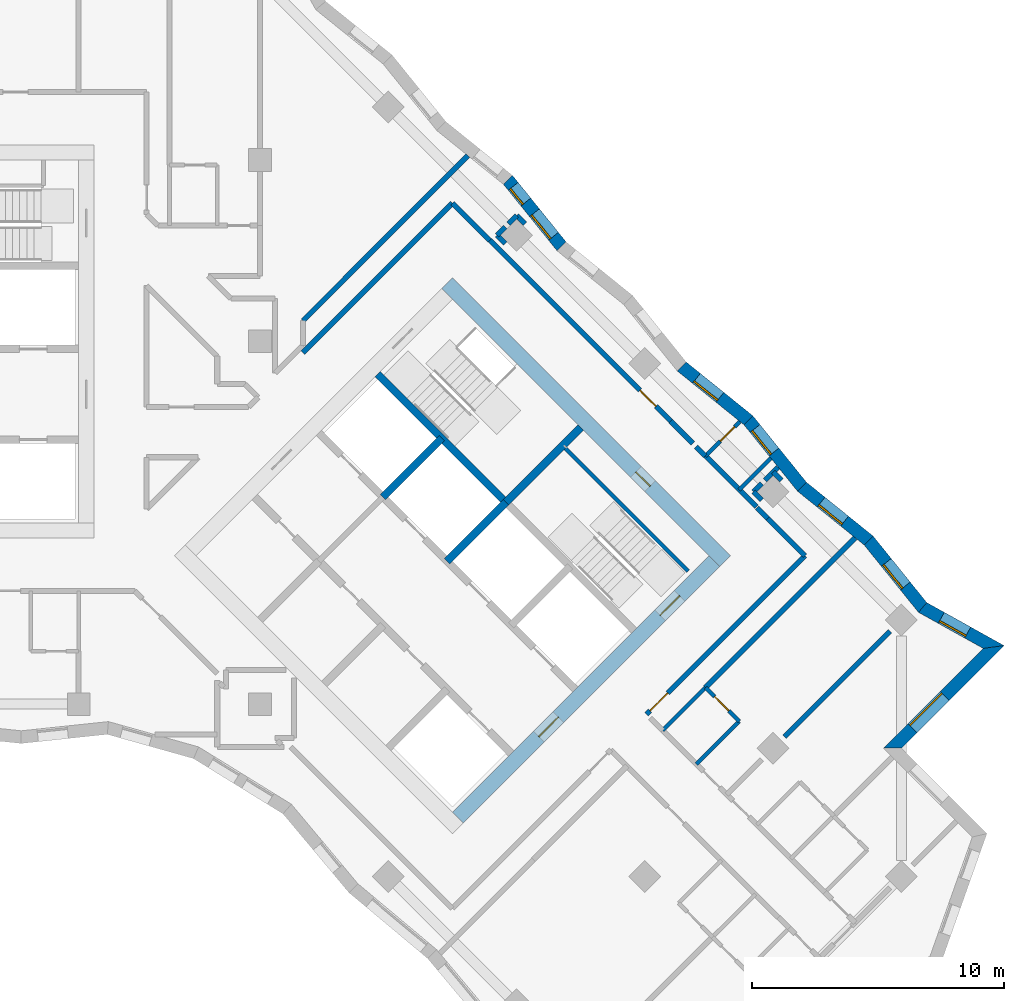
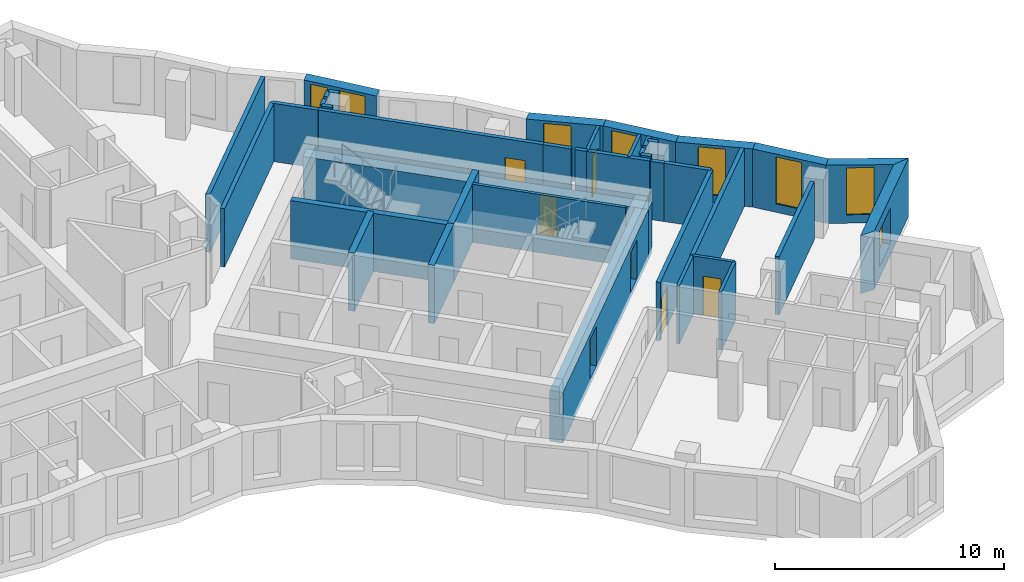
# One storey, part 9 of 12: 39 walls, 8 windows, 7 doors, 15 openings.
"""IFC4 building model written with IfcOpenShell, lengths in metres."""

import ifcopenshell
import ifcopenshell.guid

model = None  # the IFC model being written
_history = None  # IfcOwnerHistory: only IFC2X3 demands one
_inside = {}  # id of a spatial element -> (the spatial element, [elements in it])
_under = {}  # id of a project, library or spatial element -> (it, [spatial elements below it])
_declared = {}  # id of a project -> (the project, [libraries it declares])
_typed = {}  # id of a type object -> (the type object, [elements of that type])
_made_of = {}  # id of a material, layer set ... -> (it, [elements and type objects made of it])


def new_model(schema):
    """Start an empty IFC model of exactly this schema.

    Asked for "IFC4X3", IfcOpenShell would pick the latest addendum, in which some entities
    have other attributes; the version numbers below select the first issue.
    IFC2X3 requires an IfcOwnerHistory on every rooted entity: one is made here for all.
    """
    global model, _history
    if schema == "IFC4X3":
        model = ifcopenshell.file(schema_version=(4, 3, 0, 0))
    else:
        model = ifcopenshell.file(schema=schema)
    _inside.clear()
    _under.clear()
    _declared.clear()
    _typed.clear()
    _made_of.clear()
    _history = None
    if model.schema == "IFC2X3":
        org = make("IfcOrganization", Name="unknown")
        user = make(
            "IfcPersonAndOrganization",
            ThePerson=make("IfcPerson", FamilyName="unknown"),
            TheOrganization=org,
        )
        app = make(
            "IfcApplication",
            ApplicationDeveloper=org,
            Version="unknown",
            ApplicationFullName="unknown",
            ApplicationIdentifier="unknown",
        )
        _history = make(
            "IfcOwnerHistory",
            OwningUser=user,
            OwningApplication=app,
            ChangeAction="ADDED",
            CreationDate=0,
        )
    return model


def make(cls, **values):
    """One entity of the class cls with the attributes given. An attribute that is None is left unset."""
    return model.create_entity(
        cls, **{name: value for name, value in values.items() if value is not None}
    )


def rooted(cls, **values):
    """An entity with a GlobalId (a new one), such as an element, a storey or a relation."""
    return make(cls, GlobalId=ifcopenshell.guid.new(), OwnerHistory=_history, **values)


def si_unit(unit_type, name, prefix=None):
    """IfcSIUnit, for example si_unit("LENGTHUNIT", "METRE", prefix="MILLI")."""
    return make("IfcSIUnit", UnitType=unit_type, Prefix=prefix, Name=name)


def assignment(units):
    """IfcUnitAssignment: the units of a project."""
    return None if units is None else make("IfcUnitAssignment", Units=units)


def point(xyz):
    """IfcCartesianPoint."""
    return None if xyz is None else make("IfcCartesianPoint", Coordinates=xyz)


def direction(xyz):
    """IfcDirection."""
    return None if xyz is None else make("IfcDirection", DirectionRatios=xyz)


def frame(location, z_axis=None, x_axis=None):
    """IfcAxis2Placement3D, a coordinate frame: its origin and axes. An axis left out is left unset."""
    return make(
        "IfcAxis2Placement3D",
        Location=point(location),
        Axis=direction(z_axis),
        RefDirection=direction(x_axis),
    )


def frame_2d(location, x_axis=None):
    """IfcAxis2Placement2D, a coordinate frame in the plane: its origin and x axis."""
    return make(
        "IfcAxis2Placement2D", Location=point(location), RefDirection=direction(x_axis)
    )


def origin():
    """The frame at (0, 0, 0) with its axes left unset."""
    return frame((0.0, 0.0, 0.0))


def place(relative_to, where):
    """IfcLocalPlacement: puts the frame where relative to a parent placement (None: the world)."""
    return make(
        "IfcLocalPlacement", PlacementRelTo=relative_to, RelativePlacement=where
    )


def context(
    kind, dimensions, precision=None, world=None, true_north=None, identifier=None
):
    """IfcGeometricRepresentationContext, for example the 3D "Model" context."""
    return make(
        "IfcGeometricRepresentationContext",
        ContextIdentifier=identifier,
        ContextType=kind,
        CoordinateSpaceDimension=dimensions,
        Precision=precision,
        WorldCoordinateSystem=world,
        TrueNorth=true_north,
    )


def subcontext(parent, identifier, kind, view, scale=None):
    """IfcGeometricRepresentationSubContext, for example "Body" below "Model"."""
    return make(
        "IfcGeometricRepresentationSubContext",
        ContextIdentifier=identifier,
        ContextType=kind,
        ParentContext=parent,
        TargetScale=scale,
        TargetView=view,
    )


def project(units=None, contexts=None):
    """IfcProject with its units and contexts."""
    return rooted(
        "IfcProject",
        Name="project",
        RepresentationContexts=contexts,
        UnitsInContext=assignment(units),
    )


def spatial(cls, under=None, at=None, **own):
    """A site, building, storey or space (cls), placed at a placement, below another one or the project."""
    s = rooted(cls, ObjectPlacement=at, **own)
    if under is not None:
        _under.setdefault(under.id(), (under, []))[1].append(s)
    return s


def polyline(points):
    """IfcPolyline through the points."""
    return make("IfcPolyline", Points=[point(p) for p in points])


def profile(cls, at=None, kind="AREA", **sizes):
    """A parametric profile (cls). Its sizes go by their IFC names, for example OverallWidth=200.0."""
    return make(cls, ProfileType=kind, Position=at, **sizes)


def rectangle(**sizes):
    """IfcRectangleProfileDef."""
    return profile("IfcRectangleProfileDef", **sizes)


def outline(outer, holes=None, kind="AREA"):
    """IfcArbitraryClosedProfileDef: a profile drawn as a closed curve; with holes, ...WithVoids."""
    if holes is None:
        return make("IfcArbitraryClosedProfileDef", ProfileType=kind, OuterCurve=outer)
    return make(
        "IfcArbitraryProfileDefWithVoids",
        ProfileType=kind,
        OuterCurve=outer,
        InnerCurves=holes,
    )


def extrude(swept, where, along, depth):
    """IfcExtrudedAreaSolid: the profile swept, set in the frame where, extruded along a direction by depth."""
    return make(
        "IfcExtrudedAreaSolid",
        SweptArea=swept,
        Position=where,
        ExtrudedDirection=direction(along),
        Depth=depth,
    )


def shape(context_of_items, identifier, shape_type, items):
    """IfcShapeRepresentation: the items that make up one representation, for example the "Body"."""
    return make(
        "IfcShapeRepresentation",
        ContextOfItems=context_of_items,
        RepresentationIdentifier=identifier,
        RepresentationType=shape_type,
        Items=items,
    )


def material(Name=None, Category=None):
    """IfcMaterial."""
    return make("IfcMaterial", Name=Name, Category=Category)


def layer(
    of_material, thickness, ventilated=None, Name=None, Category=None, Priority=None
):
    """IfcMaterialLayer: one layer of a wall or slab, of a material (None: an air gap)."""
    return make(
        "IfcMaterialLayer",
        Material=of_material,
        LayerThickness=thickness,
        IsVentilated=ventilated,
        Name=Name,
        Category=Category,
        Priority=Priority,
    )


def layer_set(layers, Name=None):
    """IfcMaterialLayerSet."""
    return make("IfcMaterialLayerSet", MaterialLayers=layers, LayerSetName=Name)


def made_of(thing, what):
    """Note that an element or type object is made of a material, layer set ...; save() writes the relation."""
    if what is not None:
        _made_of.setdefault(what.id(), (what, []))[1].append(thing)
    return thing


def type_object(cls, material=None, **own):
    """A type object (cls), such as IfcWallType, which elements share."""
    return made_of(rooted(cls, **own), material)


def element(
    cls,
    number,
    at=None,
    inside=None,
    cuts=None,
    type_object=None,
    material=None,
    context=None,
    identifier="Body",
    shape_type=None,
    held_by="IfcProductDefinitionShape",
    body=None,
    shapes=None,
    **own,
):
    """One element of the class cls, such as IfcWall. Its Tag is "e" and its number.

    at: its placement. inside: the storey or other place that contains it. cuts: it is an
    opening in that element (IfcRelVoidsElement). A single representation is given by context,
    identifier, shape_type and body (its items); several are given by shapes. held_by: the class
    of the entity that holds the representations. save() writes the other relations.
    """
    e = rooted(cls, Tag="e%d" % number, ObjectPlacement=at, **own)
    if body is not None:
        shapes = [shape(context, identifier, shape_type, body)]
    if shapes is not None:
        e.Representation = make(held_by, Representations=shapes)
    if inside is not None:
        _inside.setdefault(inside.id(), (inside, []))[1].append(e)
    if cuts is not None:
        rooted(
            "IfcRelVoidsElement", RelatingBuildingElement=cuts, RelatedOpeningElement=e
        )
    if type_object is not None:
        _typed.setdefault(type_object.id(), (type_object, []))[1].append(e)
    return made_of(e, material)


def fill(opening, filler):
    """IfcRelFillsElement: the door or window that sits in an opening."""
    return rooted(
        "IfcRelFillsElement",
        RelatingOpeningElement=opening,
        RelatedBuildingElement=filler,
    )


def aggregate(whole, parts):
    """IfcRelAggregates: a whole, such as a stair, and the parts it consists of."""
    return rooted("IfcRelAggregates", RelatingObject=whole, RelatedObjects=parts)


def save(model, path):
    """Write the relations noted so far, then the file.

    IfcRelAggregates (storeys below a building ...), IfcRelContainedInSpatialStructure (elements
    in a storey), IfcRelDefinesByType, IfcRelAssociatesMaterial and IfcRelDeclares: one each for
    every whole, place, type object, material and project.
    """
    for whole, parts in _under.values():
        aggregate(whole, parts)
    for where, things in _inside.values():
        rooted(
            "IfcRelContainedInSpatialStructure",
            RelatedElements=things,
            RelatingStructure=where,
        )
    for kind, things in _typed.values():
        rooted("IfcRelDefinesByType", RelatedObjects=things, RelatingType=kind)
    for what, things in _made_of.values():
        rooted("IfcRelAssociatesMaterial", RelatedObjects=things, RelatingMaterial=what)
    for by, libraries in _declared.values():
        rooted("IfcRelDeclares", RelatingContext=by, RelatedDefinitions=libraries)
    model.write(path)


model = new_model("IFC4")

# Units and contexts
model_context = context("Model", 3, precision=1e-05, world=origin(), true_north=direction((0.0, 1.0)))
body_context = subcontext(model_context, "Body", "Model", "MODEL_VIEW")
ifc_project = project(units=[si_unit("LENGTHUNIT", "METRE"), si_unit("AREAUNIT", "SQUARE_METRE"), si_unit("VOLUMEUNIT", "CUBIC_METRE"), si_unit("PLANEANGLEUNIT", "RADIAN"), si_unit("MASSUNIT", "GRAM", prefix="KILO")], contexts=[model_context])

# Site, building, storey
site_placement = place(None, origin())
site = spatial("IfcSite", under=ifc_project, at=site_placement, CompositionType="ELEMENT")
building_placement = place(site_placement, origin())
building = spatial("IfcBuilding", under=site, at=building_placement, Name="Windrow Commons", CompositionType="ELEMENT")
storey_placement = place(building_placement, frame((0.0, 0.0, 142.2)))
storey = spatial("IfcBuildingStorey", under=building, at=storey_placement, Name="L38", CompositionType="ELEMENT", Elevation=142.2)

# Wall, opening, window
ifc_material_1 = material(Name="Brick masonry, red clay brick", Category="masonry")
ifc_layer_1 = layer(ifc_material_1, 0.5)
ifc_layer_set_1 = layer_set([ifc_layer_1], Name="Brick facade wall 500")
wall_type_1 = type_object("IfcWallType", Name="Brick facade wall 500", PredefinedType="SOLIDWALL", material=ifc_layer_set_1)
wall_1_placement = place(storey_placement, frame((104.3022, 41.453, 0.0), z_axis=(0.0, 0.0, 1.0), x_axis=(0.707115584, 0.7070979783, 0.0)))
wall_1 = element("IfcWall", 1, at=wall_1_placement, inside=storey, type_object=wall_type_1, Name="Brick facade wall L38 6", PredefinedType="SOLIDWALL", context=body_context, shape_type="SweptSolid", body=[
    extrude(outline(polyline([(0.25, -0.25), (6.0111, -0.25), (5.3488, 0.25), (-0.25, 0.25), (0.25, -0.25)])), origin(), (0.0, 0.0, 1.0), 3.1),
])
opening_1_placement = place(wall_1_placement, frame((1.125, 0.0, 0.6)))
opening_1 = element("IfcOpeningElement", 2, at=opening_1_placement, cuts=wall_1, Name="Opening W1L", PredefinedType="OPENING", context=body_context, shape_type="SweptSolid", body=[
    extrude(rectangle(XDim=1.8, YDim=1.9, at=frame_2d((0.9, 0.95))), frame((0.0, 0.26, 0.0), z_axis=(0.0, -1.0, 0.0), x_axis=(1.0, 0.0, 0.0)), (0.0, 0.0, 1.0), 0.52),
])
ifc_material_2 = material(Name="Clear float glass in anodised aluminium frame", Category="aluminium")
window_type_1 = type_object("IfcWindowType", Name="Window W1L bedroom 1800x1900", PartitioningType="SINGLE_PANEL", PredefinedType="WINDOW", material=ifc_material_2)
window_1_placement = place(opening_1_placement, origin())
window_1 = element("IfcWindow", 3, at=window_1_placement, inside=storey, type_object=window_type_1, Name="Window L38 6.1", OverallHeight=1.9, OverallWidth=1.8, PartitioningType="SINGLE_PANEL", PredefinedType="WINDOW", context=body_context, shape_type="SweptSolid", body=[
    extrude(rectangle(XDim=1.8, YDim=1.9, at=frame_2d((0.9, 0.95))), frame((0.0, 0.18, 0.0), z_axis=(0.0, -1.0, 0.0), x_axis=(1.0, 0.0, 0.0)), (0.0, 0.0, 1.0), 0.06),
])
fill(opening_1, window_1)

wall_2_placement = place(storey_placement, frame((108.3186, 45.4693, 0.0), z_axis=(0.0, 0.0, 1.0), x_axis=(-0.8737431929, 0.4863875336, 0.0)))
wall_2 = element("IfcWall", 4, at=wall_2_placement, inside=storey, type_object=wall_type_1, Name="Brick facade wall L38 7", PredefinedType="SOLIDWALL", context=body_context, shape_type="SweptSolid", body=[
    extrude(outline(polyline([(-0.3311, -0.25), (3.1776, -0.25), (3.2748, 0.25), (0.3311, 0.25), (-0.3311, -0.25)])), origin(), (0.0, 0.0, 1.0), 3.1),
])
opening_2_placement = place(wall_2_placement, frame((1.1787, 0.0, 0.45)))
opening_2 = element("IfcOpeningElement", 5, at=opening_2_placement, cuts=wall_2, Name="Opening W7E", PredefinedType="OPENING", context=body_context, shape_type="SweptSolid", body=[
    extrude(rectangle(XDim=1.2, YDim=2.5, at=frame_2d((0.6, 1.25))), frame((0.0, 0.26, 0.0), z_axis=(0.0, -1.0, 0.0), x_axis=(1.0, 0.0, 0.0)), (0.0, 0.0, 1.0), 0.52),
])
ifc_material_3 = material(Name="Clear float glass in anodised aluminium frame", Category="aluminium")
window_type_2 = type_object("IfcWindowType", Name="Window W7 notch 1200x2500", PartitioningType="SINGLE_PANEL", PredefinedType="WINDOW", material=ifc_material_3)
window_2_placement = place(opening_2_placement, origin())
window_2 = element("IfcWindow", 6, at=window_2_placement, inside=storey, type_object=window_type_2, Name="Window L38 7.1", OverallHeight=2.5, OverallWidth=1.2, PartitioningType="SINGLE_PANEL", PredefinedType="WINDOW", context=body_context, shape_type="SweptSolid", body=[
    extrude(rectangle(XDim=1.2, YDim=2.5, at=frame_2d((0.6, 1.25))), frame((0.0, 0.18, 0.0), z_axis=(0.0, -1.0, 0.0), x_axis=(1.0, 0.0, 0.0)), (0.0, 0.0, 1.0), 0.06),
])
fill(opening_2, window_2)

wall_3_placement = place(storey_placement, frame((105.4997, 47.0385, 0.0), z_axis=(0.0, 0.0, 1.0), x_axis=(-0.6278674651, 0.7783202723, 0.0)))
wall_3 = element("IfcWall", 7, at=wall_3_placement, inside=storey, type_object=wall_type_1, Name="Brick facade wall L38 8", PredefinedType="SOLIDWALL", context=body_context, shape_type="SweptSolid", body=[
    extrude(outline(polyline([(0.0486, -0.25), (3.4424, -0.25), (3.389, 0.25), (-0.0486, 0.25), (0.0486, -0.25)])), origin(), (0.0, 0.0, 1.0), 3.1),
])
opening_3_placement = place(wall_3_placement, frame((1.0945, 0.0, 0.45)))
opening_3 = element("IfcOpeningElement", 8, at=opening_3_placement, cuts=wall_3, Name="Opening W7E", PredefinedType="OPENING", context=body_context, shape_type="SweptSolid", body=[
    extrude(rectangle(XDim=1.2, YDim=2.5, at=frame_2d((0.6, 1.25))), frame((0.0, 0.26, 0.0), z_axis=(0.0, -1.0, 0.0), x_axis=(1.0, 0.0, 0.0)), (0.0, 0.0, 1.0), 0.52),
])
window_3_placement = place(opening_3_placement, origin())
window_3 = element("IfcWindow", 9, at=window_3_placement, inside=storey, type_object=window_type_2, Name="Window L38 8.1", OverallHeight=2.5, OverallWidth=1.2, PartitioningType="SINGLE_PANEL", PredefinedType="WINDOW", context=body_context, shape_type="SweptSolid", body=[
    extrude(rectangle(XDim=1.2, YDim=2.5, at=frame_2d((0.6, 1.25))), frame((0.0, 0.18, 0.0), z_axis=(0.0, -1.0, 0.0), x_axis=(1.0, 0.0, 0.0)), (0.0, 0.0, 1.0), 0.06),
])
fill(opening_3, window_3)

wall_4_placement = place(storey_placement, frame((103.3551, 49.697, 0.0), z_axis=(0.0, 0.0, 1.0), x_axis=(-0.7783182818, 0.6278699325, 0.0)))
wall_4 = element("IfcWall", 10, at=wall_4_placement, inside=storey, type_object=wall_type_1, Name="Brick facade wall L38 9", PredefinedType="SOLIDWALL", context=body_context, shape_type="SweptSolid", body=[
    extrude(outline(polyline([(-0.0267, -0.25), (3.3671, -0.25), (3.4206, 0.25), (0.0267, 0.25), (-0.0267, -0.25)])), origin(), (0.0, 0.0, 1.0), 3.1),
])
opening_4_placement = place(wall_4_placement, frame((1.2236, 0.0, 0.45)))
opening_4 = element("IfcOpeningElement", 11, at=opening_4_placement, cuts=wall_4, Name="Opening W7E", PredefinedType="OPENING", context=body_context, shape_type="SweptSolid", body=[
    extrude(rectangle(XDim=1.2, YDim=2.5, at=frame_2d((0.6, 1.25))), frame((0.0, 0.26, 0.0), z_axis=(0.0, -1.0, 0.0), x_axis=(1.0, 0.0, 0.0)), (0.0, 0.0, 1.0), 0.52),
])
window_4_placement = place(opening_4_placement, origin())
window_4 = element("IfcWindow", 12, at=window_4_placement, inside=storey, type_object=window_type_2, Name="Window L38 9.1", OverallHeight=2.5, OverallWidth=1.2, PartitioningType="SINGLE_PANEL", PredefinedType="WINDOW", context=body_context, shape_type="SweptSolid", body=[
    extrude(rectangle(XDim=1.2, YDim=2.5, at=frame_2d((0.6, 1.25))), frame((0.0, 0.18, 0.0), z_axis=(0.0, -1.0, 0.0), x_axis=(1.0, 0.0, 0.0)), (0.0, 0.0, 1.0), 0.06),
])
fill(opening_4, window_4)

wall_5_placement = place(storey_placement, frame((100.7136, 51.8279, 0.0), z_axis=(0.0, 0.0, 1.0), x_axis=(-0.6278699325, 0.7783182818, 0.0)))
wall_5 = element("IfcWall", 13, at=wall_5_placement, inside=storey, type_object=wall_type_1, Name="Brick facade wall L38 10", PredefinedType="SOLIDWALL", context=body_context, shape_type="SweptSolid", body=[
    extrude(outline(polyline([(0.0267, -0.25), (3.4206, -0.25), (3.3671, 0.25), (-0.0267, 0.25), (0.0267, -0.25)])), origin(), (0.0, 0.0, 1.0), 3.1),
])
opening_5_placement = place(wall_5_placement, frame((1.7736, 0.0, 0.45)))
opening_5 = element("IfcOpeningElement", 14, at=opening_5_placement, cuts=wall_5, Name="Opening W7E", PredefinedType="OPENING", context=body_context, shape_type="SweptSolid", body=[
    extrude(rectangle(XDim=1.2, YDim=2.5, at=frame_2d((0.6, 1.25))), frame((0.0, 0.26, 0.0), z_axis=(0.0, -1.0, 0.0), x_axis=(1.0, 0.0, 0.0)), (0.0, 0.0, 1.0), 0.52),
])
window_5_placement = place(opening_5_placement, origin())
window_5 = element("IfcWindow", 15, at=window_5_placement, inside=storey, type_object=window_type_2, Name="Window L38 10.1", OverallHeight=2.5, OverallWidth=1.2, PartitioningType="SINGLE_PANEL", PredefinedType="WINDOW", context=body_context, shape_type="SweptSolid", body=[
    extrude(rectangle(XDim=1.2, YDim=2.5, at=frame_2d((0.6, 1.25))), frame((0.0, 0.18, 0.0), z_axis=(0.0, -1.0, 0.0), x_axis=(1.0, 0.0, 0.0)), (0.0, 0.0, 1.0), 0.06),
])
fill(opening_5, window_5)

wall_6_placement = place(storey_placement, frame((98.5827, 54.4694, 0.0), z_axis=(0.0, 0.0, 1.0), x_axis=(-0.7783182818, 0.6278699325, 0.0)))
wall_6 = element("IfcWall", 16, at=wall_6_placement, inside=storey, type_object=wall_type_1, Name="Brick facade wall L38 11", PredefinedType="SOLIDWALL", context=body_context, shape_type="SweptSolid", body=[
    extrude(outline(polyline([(-0.0267, -0.25), (3.3671, -0.25), (3.4206, 0.25), (0.0267, 0.25), (-0.0267, -0.25)])), origin(), (0.0, 0.0, 1.0), 3.1),
])
opening_6_placement = place(wall_6_placement, frame((1.4503, 0.0, 0.45)))
opening_6 = element("IfcOpeningElement", 17, at=opening_6_placement, cuts=wall_6, Name="Opening W7E", PredefinedType="OPENING", context=body_context, shape_type="SweptSolid", body=[
    extrude(rectangle(XDim=1.2, YDim=2.5, at=frame_2d((0.6, 1.25))), frame((0.0, 0.26, 0.0), z_axis=(0.0, -1.0, 0.0), x_axis=(1.0, 0.0, 0.0)), (0.0, 0.0, 1.0), 0.52),
])
window_6_placement = place(opening_6_placement, origin())
window_6 = element("IfcWindow", 18, at=window_6_placement, inside=storey, type_object=window_type_2, Name="Window L38 11.1", OverallHeight=2.5, OverallWidth=1.2, PartitioningType="SINGLE_PANEL", PredefinedType="WINDOW", context=body_context, shape_type="SweptSolid", body=[
    extrude(rectangle(XDim=1.2, YDim=2.5, at=frame_2d((0.6, 1.25))), frame((0.0, 0.18, 0.0), z_axis=(0.0, -1.0, 0.0), x_axis=(1.0, 0.0, 0.0)), (0.0, 0.0, 1.0), 0.06),
])
fill(opening_6, window_6)

# Wall, openings, windows
wall_7_placement = place(storey_placement, frame((91.1688, 61.3727, 0.0), z_axis=(0.0, 0.0, 1.0), x_axis=(-0.6278699325, 0.7783182818, 0.0)))
wall_7 = element("IfcWall", 19, at=wall_7_placement, inside=storey, type_object=wall_type_1, Name="Brick facade wall L38 14", PredefinedType="SOLIDWALL", context=body_context, shape_type="SweptSolid", body=[
    extrude(outline(polyline([(0.0267, -0.25), (3.4206, -0.25), (3.3671, 0.25), (-0.0267, 0.25), (0.0267, -0.25)])), origin(), (0.0, 0.0, 1.0), 3.1),
])
opening_7_placement = place(wall_7_placement, frame((0.5125, 0.0, 0.5)))
opening_7 = element("IfcOpeningElement", 20, at=opening_7_placement, cuts=wall_7, Name="Opening W7D", PredefinedType="OPENING", context=body_context, shape_type="SweptSolid", body=[
    extrude(rectangle(XDim=1.2, YDim=2.45, at=frame_2d((0.6, 1.225))), frame((0.0, 0.26, 0.0), z_axis=(0.0, -1.0, 0.0), x_axis=(1.0, 0.0, 0.0)), (0.0, 0.0, 1.0), 0.52),
])
opening_8_placement = place(wall_7_placement, frame((2.2594, 0.0, 0.45)))
opening_8 = element("IfcOpeningElement", 21, at=opening_8_placement, cuts=wall_7, Name="Opening W1N", PredefinedType="OPENING", context=body_context, shape_type="SweptSolid", body=[
    extrude(rectangle(XDim=0.8, YDim=2.5, at=frame_2d((0.4, 1.25))), frame((0.0, 0.26, 0.0), z_axis=(0.0, -1.0, 0.0), x_axis=(1.0, 0.0, 0.0)), (0.0, 0.0, 1.0), 0.52),
])
ifc_material_4 = material(Name="Clear float glass in anodised aluminium frame", Category="aluminium")
window_type_3 = type_object("IfcWindowType", Name="Window W1N slit 800x2500", PartitioningType="SINGLE_PANEL", PredefinedType="WINDOW", material=ifc_material_4)
window_7_placement = place(opening_8_placement, origin())
window_7 = element("IfcWindow", 22, at=window_7_placement, inside=storey, type_object=window_type_3, Name="Window L38 14.1B", OverallHeight=2.5, OverallWidth=0.8, PartitioningType="SINGLE_PANEL", PredefinedType="WINDOW", context=body_context, shape_type="SweptSolid", body=[
    extrude(rectangle(XDim=0.8, YDim=2.5, at=frame_2d((0.4, 1.25))), frame((0.0, 0.18, 0.0), z_axis=(0.0, -1.0, 0.0), x_axis=(1.0, 0.0, 0.0)), (0.0, 0.0, 1.0), 0.06),
])
fill(opening_8, window_7)
ifc_material_5 = material(Name="Clear float glass in anodised aluminium frame", Category="aluminium")
window_type_4 = type_object("IfcWindowType", Name="Window W7 notch 1200x2450", PartitioningType="SINGLE_PANEL", PredefinedType="WINDOW", material=ifc_material_5)
window_8_placement = place(opening_7_placement, origin())
window_8 = element("IfcWindow", 23, at=window_8_placement, inside=storey, type_object=window_type_4, Name="Window L38 14.1A", OverallHeight=2.45, OverallWidth=1.2, PartitioningType="SINGLE_PANEL", PredefinedType="WINDOW", context=body_context, shape_type="SweptSolid", body=[
    extrude(rectangle(XDim=1.2, YDim=2.45, at=frame_2d((0.6, 1.225))), frame((0.0, 0.18, 0.0), z_axis=(0.0, -1.0, 0.0), x_axis=(1.0, 0.0, 0.0)), (0.0, 0.0, 1.0), 0.06),
])
fill(opening_7, window_8)

# Wall, opening, door
ifc_material_6 = material(Name="Blockwork partition", Category="masonry")
ifc_layer_2 = layer(ifc_material_6, 0.2)
ifc_layer_set_2 = layer_set([ifc_layer_2], Name="IW-CORRIDOR-200")
wall_type_2 = type_object("IfcWallType", Name="IW-CORRIDOR-200", PredefinedType="PARTITIONING", material=ifc_layer_set_2)
wall_8_placement = place(storey_placement, frame((88.3255, 61.6095, 0.0), z_axis=(0.0, 0.0, 1.0), x_axis=(0.7071067812, -0.7071067812, 0.0)))
wall_8 = element("IfcWall", 24, at=wall_8_placement, inside=storey, type_object=wall_type_2, Name="W-L38-W005", PredefinedType="PARTITIONING", context=body_context, shape_type="SweptSolid", body=[
    extrude(rectangle(XDim=10.1399, YDim=0.2, at=frame_2d((5.07, 0.0))), origin(), (0.0, 0.0, 1.0), 3.1),
])
opening_9_placement = place(wall_8_placement, frame((8.4225, 0.0, 0.0)))
opening_9 = element("IfcOpeningElement", 25, at=opening_9_placement, cuts=wall_8, Name="Opening D109F", PredefinedType="OPENING", context=body_context, shape_type="SweptSolid", body=[
    extrude(rectangle(XDim=0.9, YDim=2.1, at=frame_2d((0.45, 1.05))), frame((0.0, 0.11, 0.0), z_axis=(0.0, -1.0, 0.0), x_axis=(1.0, 0.0, 0.0)), (0.0, 0.0, 1.0), 0.22),
])
ifc_material_7 = material(Name="Timber door leaf", Category="wood")
door_type_1 = type_object("IfcDoorType", Name="DT-BEDROOM-900", OperationType="SINGLE_SWING_LEFT", PredefinedType="DOOR", material=ifc_material_7)
door_1_placement = place(opening_9_placement, origin())
door_1 = element("IfcDoor", 26, at=door_1_placement, inside=storey, type_object=door_type_1, Name="D-L38-D039", OperationType="SINGLE_SWING_LEFT", OverallHeight=2.1, OverallWidth=0.9, PredefinedType="DOOR", context=body_context, shape_type="SweptSolid", body=[
    extrude(rectangle(XDim=0.9, YDim=2.1, at=frame_2d((0.45, 1.05))), frame((0.0, 0.025, 0.0), z_axis=(0.0, -1.0, 0.0), x_axis=(1.0, 0.0, 0.0)), (0.0, 0.0, 1.0), 0.05),
])
fill(opening_9, door_1)

wall_9_placement = place(storey_placement, frame((94.543, 42.797, 0.0), z_axis=(0.0, 0.0, 1.0), x_axis=(0.7071067812, 0.7071067812, 0.0)))
wall_9 = element("IfcWall", 27, at=wall_9_placement, inside=storey, type_object=wall_type_2, Name="W-L38-W009", PredefinedType="PARTITIONING", context=body_context, shape_type="SweptSolid", body=[
    extrude(rectangle(XDim=8.9011, YDim=0.2, at=frame_2d((4.4505, 0.0))), origin(), (0.0, 0.0, 1.0), 3.1),
])
opening_10_placement = place(wall_9_placement, frame((0.1931, 0.0, 0.0)))
opening_10 = element("IfcOpeningElement", 28, at=opening_10_placement, cuts=wall_9, Name="Opening D310F", PredefinedType="OPENING", context=body_context, shape_type="SweptSolid", body=[
    extrude(rectangle(XDim=1.0, YDim=2.1, at=frame_2d((0.5, 1.05))), frame((0.0, 0.11, 0.0), z_axis=(0.0, -1.0, 0.0), x_axis=(1.0, 0.0, 0.0)), (0.0, 0.0, 1.0), 0.22),
])
ifc_material_8 = material(Name="Timber door leaf", Category="wood")
door_type_2 = type_object("IfcDoorType", Name="DT-AMENITY-1000", OperationType="SINGLE_SWING_LEFT", PredefinedType="DOOR", material=ifc_material_8)
door_2_placement = place(opening_10_placement, origin())
door_2 = element("IfcDoor", 29, at=door_2_placement, inside=storey, type_object=door_type_2, Name="D-L38-D041", OperationType="SINGLE_SWING_LEFT", OverallHeight=2.1, OverallWidth=1.0, PredefinedType="DOOR", context=body_context, shape_type="SweptSolid", body=[
    extrude(rectangle(XDim=1.0, YDim=2.1, at=frame_2d((0.5, 1.05))), frame((0.0, 0.025, 0.0), z_axis=(0.0, -1.0, 0.0), x_axis=(1.0, 0.0, 0.0)), (0.0, 0.0, 1.0), 0.05),
])
fill(opening_10, door_2)

# Walls
wall_10_placement = place(storey_placement, frame((80.9013, 57.1567, 0.0), z_axis=(0.0, 0.0, 1.0), x_axis=(0.7071067812, 0.7071067812, 0.0)))
element("IfcWall", 30, at=wall_10_placement, inside=storey, type_object=wall_type_2, Name="W-L38-W012", PredefinedType="PARTITIONING", context=body_context, shape_type="SweptSolid", body=[
    extrude(rectangle(XDim=8.3919, YDim=0.2, at=frame_2d((4.1959, 0.0))), origin(), (0.0, 0.0, 1.0), 3.1),
])
wall_11_placement = place(storey_placement, frame((96.8815, 53.0535, 0.0), z_axis=(0.0, 0.0, 1.0), x_axis=(0.7071067812, -0.7071067812, 0.0)))
element("IfcWall", 31, at=wall_11_placement, inside=storey, type_object=wall_type_2, Name="W-L38-W054", PredefinedType="PARTITIONING", context=body_context, shape_type="SweptSolid", body=[
    extrude(rectangle(XDim=2.8595, YDim=0.2, at=frame_2d((1.4298, 0.0))), origin(), (0.0, 0.0, 1.0), 3.1),
])
for number, where, z_axis, x_axis, name in (
    (32, (86.8343, 63.0883, 0.0), (0.0, 0.0, 1.0), (0.7075827869, -0.7066304548, 0.0), "W-L38-W102"),
    (33, (99.3517, 50.5737, 0.0), (0.0, 0.0, 1.0), (0.7075827869, -0.7066304548, 0.0), "W-L38-W103"),
):
    element("IfcWall", number, at=place(storey_placement, frame(where, z_axis=z_axis, x_axis=x_axis)), inside=storey, type_object=wall_type_2, Name=name, PredefinedType="PARTITIONING", context=body_context, shape_type="SweptSolid", body=[
        extrude(rectangle(XDim=2.1001, YDim=0.2, at=frame_2d((1.05, 0.0))), origin(), (0.0, 0.0, 1.0), 3.1),
    ])
wall_12_placement = place(storey_placement, frame((95.4937, 54.4377, 0.0), z_axis=(0.0, 0.0, 1.0), x_axis=(0.706312726, -0.7078999456, 0.0)))
element("IfcWall", 34, at=wall_12_placement, inside=storey, type_object=wall_type_2, Name="W-L38-W144", PredefinedType="PARTITIONING", context=body_context, shape_type="SweptSolid", body=[
    extrude(rectangle(XDim=1.2601, YDim=0.2, at=frame_2d((0.63, 0.0))), origin(), (0.0, 0.0, 1.0), 3.1),
])
wall_13_placement = place(storey_placement, frame((98.9254, 50.9954, 0.0), z_axis=(0.0, 0.0, 1.0), x_axis=(0.7071067812, -0.7071067812, 0.0)))
element("IfcWall", 35, at=wall_13_placement, inside=storey, type_object=wall_type_2, Name="W-L38-W160", PredefinedType="PARTITIONING", context=body_context, shape_type="SweptSolid", body=[
    extrude(rectangle(XDim=0.5996, YDim=0.2, at=frame_2d((0.2998, 0.0))), origin(), (0.0, 0.0, 1.0), 3.1),
])
wall_14_placement = place(storey_placement, frame((96.5098, 53.4158, 0.0), z_axis=(0.0, 0.0, 1.0), x_axis=(0.7090308706, -0.7051774419, 0.0)))
element("IfcWall", 36, at=wall_14_placement, inside=storey, type_object=wall_type_2, Name="W-L38-W170", PredefinedType="PARTITIONING", context=body_context, shape_type="SweptSolid", body=[
    extrude(rectangle(XDim=0.519, YDim=0.2, at=frame_2d((0.2595, 0.0))), origin(), (0.0, 0.0, 1.0), 3.1),
])
ifc_material_9 = material(Name="Blockwork partition", Category="masonry")
ifc_layer_3 = layer(ifc_material_9, 0.15)
ifc_layer_set_3 = layer_set([ifc_layer_3], Name="IW-ENSUITE-150")
wall_type_3 = type_object("IfcWallType", Name="IW-ENSUITE-150", PredefinedType="PARTITIONING", material=ifc_layer_set_3)
for number, where, z_axis, x_axis, name in (
    (37, (96.5229, 40.8171, 0.0), (0.0, 0.0, 1.0), (0.7071067812, 0.7071067812, 0.0), "W-L38-W063"),
    (38, (95.1794, 42.1606, 0.0), (0.0, 0.0, 1.0), (0.7071067812, 0.7071067812, 0.0), "W-L38-W066"),
):
    element("IfcWall", number, at=place(storey_placement, frame(where, z_axis=z_axis, x_axis=x_axis)), inside=storey, type_object=wall_type_3, Name=name, PredefinedType="PARTITIONING", context=body_context, shape_type="SweptSolid", body=[
        extrude(rectangle(XDim=2.4013, YDim=0.15, at=frame_2d((1.2006, 0.0))), origin(), (0.0, 0.0, 1.0), 3.1),
    ])

# Wall, opening, door
wall_15_placement = place(storey_placement, frame((96.8813, 43.8613, 0.0), z_axis=(0.0, 0.0, 1.0), x_axis=(0.7071067812, -0.7071067812, 0.0)))
wall_15 = element("IfcWall", 39, at=wall_15_placement, inside=storey, type_object=wall_type_3, Name="W-L38-W118", PredefinedType="PARTITIONING", context=body_context, shape_type="SweptSolid", body=[
    extrude(rectangle(XDim=1.9007, YDim=0.15, at=frame_2d((0.9504, 0.0))), origin(), (0.0, 0.0, 1.0), 3.1),
])
opening_11_placement = place(wall_15_placement, frame((0.5053, 0.0, 0.0)))
opening_11 = element("IfcOpeningElement", 40, at=opening_11_placement, cuts=wall_15, Name="Opening D208N", PredefinedType="OPENING", context=body_context, shape_type="SweptSolid", body=[
    extrude(rectangle(XDim=0.8, YDim=2.1, at=frame_2d((0.4, 1.05))), frame((0.0, 0.085, 0.0), z_axis=(0.0, -1.0, 0.0), x_axis=(1.0, 0.0, 0.0)), (0.0, 0.0, 1.0), 0.17),
])
ifc_material_10 = material(Name="Timber door leaf", Category="wood")
door_type_3 = type_object("IfcDoorType", Name="DT-ENSUITE-800", OperationType="SINGLE_SWING_LEFT", PredefinedType="DOOR", material=ifc_material_10)
door_3_placement = place(opening_11_placement, origin())
door_3 = element("IfcDoor", 41, at=door_3_placement, inside=storey, type_object=door_type_3, Name="D-L38-D043", OperationType="SINGLE_SWING_RIGHT", OverallHeight=2.1, OverallWidth=0.8, PredefinedType="DOOR", context=body_context, shape_type="SweptSolid", body=[
    extrude(rectangle(XDim=0.8, YDim=2.1, at=frame_2d((0.4, 1.05))), frame((0.0, 0.025, 0.0), z_axis=(0.0, -1.0, 0.0), x_axis=(1.0, 0.0, 0.0)), (0.0, 0.0, 1.0), 0.05),
])
fill(opening_11, door_3)

wall_16_placement = place(storey_placement, frame((96.8778, 53.0502, 0.0), z_axis=(0.0, 0.0, 1.0), x_axis=(0.7076230681, 0.7065901171, 0.0)))
wall_16 = element("IfcWall", 42, at=wall_16_placement, inside=storey, type_object=wall_type_3, Name="W-L38-W130", PredefinedType="PARTITIONING", context=body_context, shape_type="SweptSolid", body=[
    extrude(rectangle(XDim=1.9362, YDim=0.15, at=frame_2d((0.9681, 0.0))), origin(), (0.0, 0.0, 1.0), 3.1),
])
opening_12_placement = place(wall_16_placement, frame((0.8341, 0.0, 0.0)))
opening_12 = element("IfcOpeningElement", 43, at=opening_12_placement, cuts=wall_16, Name="Opening D208N", PredefinedType="OPENING", context=body_context, shape_type="SweptSolid", body=[
    extrude(rectangle(XDim=0.8, YDim=2.1, at=frame_2d((0.4, 1.05))), frame((0.0, 0.085, 0.0), z_axis=(0.0, -1.0, 0.0), x_axis=(1.0, 0.0, 0.0)), (0.0, 0.0, 1.0), 0.17),
])
door_4_placement = place(opening_12_placement, origin())
door_4 = element("IfcDoor", 44, at=door_4_placement, inside=storey, type_object=door_type_3, Name="D-L38-D040", OperationType="SINGLE_SWING_RIGHT", OverallHeight=2.1, OverallWidth=0.8, PredefinedType="DOOR", context=body_context, shape_type="SweptSolid", body=[
    extrude(rectangle(XDim=0.8, YDim=2.1, at=frame_2d((0.4, 1.05))), frame((0.0, 0.025, 0.0), z_axis=(0.0, -1.0, 0.0), x_axis=(1.0, 0.0, 0.0)), (0.0, 0.0, 1.0), 0.05),
])
fill(opening_12, door_4)

# Walls
wall_17_placement = place(storey_placement, frame((98.2207, 51.7073, 0.0), z_axis=(0.0, 0.0, 1.0), x_axis=(0.7071349331, 0.7070786281, 0.0)))
element("IfcWall", 45, at=wall_17_placement, inside=storey, type_object=wall_type_3, Name="W-L38-W132", PredefinedType="PARTITIONING", context=body_context, shape_type="SweptSolid", body=[
    extrude(rectangle(XDim=1.776, YDim=0.15, at=frame_2d((0.888, 0.0))), origin(), (0.0, 0.0, 1.0), 3.1),
])
ifc_material_11 = material(Name="Blockwork partition", Category="masonry")
ifc_layer_4 = layer(ifc_material_11, 0.2)
ifc_layer_set_4 = layer_set([ifc_layer_4], Name="IW-PARTY-200")
wall_type_4 = type_object("IfcWallType", Name="IW-PARTY-200", PredefinedType="PARTITIONING", material=ifc_layer_set_4)
wall_18_placement = place(storey_placement, frame((80.9023, 58.4237, 0.0), z_axis=(0.0, 0.0, 1.0), x_axis=(0.7069988012, 0.7072147447, 0.0)))
element("IfcWall", 46, at=wall_18_placement, inside=storey, type_object=wall_type_4, Name="W-L38-W007", PredefinedType="PARTITIONING", context=body_context, shape_type="SweptSolid", body=[
    extrude(rectangle(XDim=9.2617, YDim=0.2, at=frame_2d((4.6308, 0.0))), origin(), (0.0, 0.0, 1.0), 3.1),
])
wall_19_placement = place(storey_placement, frame((96.8774, 43.8586, 0.0), z_axis=(0.0, 0.0, 1.0), x_axis=(0.7071127272, 0.7071008351, 0.0)))
element("IfcWall", 47, at=wall_19_placement, inside=storey, type_object=wall_type_4, Name="W-L38-W013", PredefinedType="PARTITIONING", context=body_context, shape_type="SweptSolid", body=[
    extrude(rectangle(XDim=8.409, YDim=0.2, at=frame_2d((4.2045, 0.0))), origin(), (0.0, 0.0, 1.0), 3.1),
])
wall_20_placement = place(storey_placement, frame((100.013, 41.903, 0.0), z_axis=(0.0, 0.0, 1.0), x_axis=(0.7071067812, 0.7071067812, 0.0)))
element("IfcWall", 48, at=wall_20_placement, inside=storey, type_object=wall_type_4, Name="W-L38-W026", PredefinedType="PARTITIONING", context=body_context, shape_type="SweptSolid", body=[
    extrude(rectangle(XDim=5.9284, YDim=0.2, at=frame_2d((2.9642, 0.0))), origin(), (0.0, 0.0, 1.0), 3.1),
])
for number, where, z_axis, x_axis, name in (
    (49, (88.5996, 61.8144, 0.0), (0.0, 0.0, 1.0), (0.7071067812, 0.7071067812, 0.0), "W-L38-W173"),
    (50, (89.0536, 62.2684, 0.0), (0.0, 0.0, 1.0), (0.7071067812, 0.7071067812, 0.0), "W-L38-W174"),
):
    element("IfcWall", number, at=place(storey_placement, frame(where, z_axis=z_axis, x_axis=x_axis)), inside=storey, type_object=wall_type_4, Name=name, PredefinedType="PARTITIONING", context=body_context, shape_type="SweptSolid", body=[
        extrude(rectangle(XDim=0.4695, YDim=0.2, at=frame_2d((0.2347, 0.0))), origin(), (0.0, 0.0, 1.0), 3.1),
    ])
for number, where, z_axis, x_axis, name in (
    (51, (88.5993, 61.8133, 0.0), (0.0, 0.0, 1.0), (0.7092398187, -0.7049672897, 0.0), "W-L38-W175"),
    (52, (89.3881, 62.6021, 0.0), (0.0, 0.0, 1.0), (0.7049672897, -0.7092398187, 0.0), "W-L38-W176"),
    (53, (99.5696, 52.4176, 0.0), (0.0, 0.0, 1.0), (0.7092398187, -0.7049672897, 0.0), "W-L38-W177"),
    (54, (98.7837, 51.6317, 0.0), (0.0, 0.0, 1.0), (0.7049672897, -0.7092398187, 0.0), "W-L38-W178"),
):
    element("IfcWall", number, at=place(storey_placement, frame(where, z_axis=z_axis, x_axis=x_axis)), inside=storey, type_object=wall_type_4, Name=name, PredefinedType="PARTITIONING", context=body_context, shape_type="SweptSolid", body=[
        extrude(rectangle(XDim=0.4681, YDim=0.2, at=frame_2d((0.2341, 0.0))), origin(), (0.0, 0.0, 1.0), 3.1),
    ])
wall_21_placement = place(storey_placement, frame((98.7829, 51.6331, 0.0), z_axis=(0.0, 0.0, 1.0), x_axis=(0.7071067812, 0.7071067812, 0.0)))
element("IfcWall", 55, at=wall_21_placement, inside=storey, type_object=wall_type_4, Name="W-L38-W179", PredefinedType="PARTITIONING", context=body_context, shape_type="SweptSolid", body=[
    extrude(rectangle(XDim=0.4667, YDim=0.2, at=frame_2d((0.2334, 0.0))), origin(), (0.0, 0.0, 1.0), 3.1),
])
wall_22_placement = place(storey_placement, frame((99.2369, 52.0871, 0.0), z_axis=(0.0, 0.0, 1.0), x_axis=(0.7071742693, 0.7070392866, 0.0)))
element("IfcWall", 56, at=wall_22_placement, inside=storey, type_object=wall_type_4, Name="W-L38-W180", PredefinedType="PARTITIONING", context=body_context, shape_type="SweptSolid", body=[
    extrude(rectangle(XDim=0.7408, YDim=0.2, at=frame_2d((0.3704, 0.0))), origin(), (0.0, 0.0, 1.0), 3.1),
])

# Wall, opening, door
ifc_material_12 = material(Name="Concrete C50/60", Category="concrete")
ifc_layer_5 = layer(ifc_material_12, 0.6)
ifc_layer_set_5 = layer_set([ifc_layer_5], Name="RC CORE WALL 600 C50/60")
wall_type_5 = type_object("IfcWallType", Name="RC CORE WALL 600 C50/60", PredefinedType="SHEAR", material=ifc_layer_set_5)
wall_23_placement = place(storey_placement, frame((86.6246, 59.9085, -0.3), z_axis=(0.0, 0.0, 1.0), x_axis=(0.7071067812, -0.7071067812, 0.0)))
wall_23 = element("IfcWall", 57, at=wall_23_placement, inside=storey, type_object=wall_type_5, Name="Core B wall outer-N", PredefinedType="SHEAR", context=body_context, shape_type="SweptSolid", body=[
    extrude(rectangle(XDim=15.6, YDim=0.6, at=frame_2d((7.8, 0.0))), origin(), (0.0, 0.0, 1.0), 2.7),
])
opening_13_placement = place(wall_23_placement, frame((10.6, 0.0, 0.3)))
opening_13 = element("IfcOpeningElement", 58, at=opening_13_placement, cuts=wall_23, Name="Opening D9", PredefinedType="OPENING", context=body_context, shape_type="SweptSolid", body=[
    extrude(rectangle(XDim=0.8, YDim=2.1, at=frame_2d((0.4, 1.05))), frame((0.0, 0.31, 0.0), z_axis=(0.0, -1.0, 0.0), x_axis=(1.0, 0.0, 0.0)), (0.0, 0.0, 1.0), 0.62),
])
ifc_material_13 = material(Name="Steel fire door leaf", Category="steel")
door_type_4 = type_object("IfcDoorType", Name="Riser access door 800", OperationType="SINGLE_SWING_LEFT", PredefinedType="DOOR", material=ifc_material_13)
door_5_placement = place(opening_13_placement, origin())
door_5 = element("IfcDoor", 59, at=door_5_placement, inside=storey, type_object=door_type_4, Name="Riser access door", OperationType="SINGLE_SWING_RIGHT", OverallHeight=2.1, OverallWidth=0.8, PredefinedType="DOOR", context=body_context, shape_type="SweptSolid", body=[
    extrude(rectangle(XDim=0.8, YDim=2.1, at=frame_2d((0.4, 1.05))), frame((0.0, 0.025, 0.0), z_axis=(0.0, -1.0, 0.0), x_axis=(1.0, 0.0, 0.0)), (0.0, 0.0, 1.0), 0.05),
])
fill(opening_13, door_5)

# Wall, openings, doors
wall_24_placement = place(storey_placement, frame((87.0489, 38.6953, -0.3), z_axis=(0.0, 0.0, 1.0), x_axis=(0.7071067812, 0.7071067812, 0.0)))
wall_24 = element("IfcWall", 60, at=wall_24_placement, inside=storey, type_object=wall_type_5, Name="Core B wall outer-E", PredefinedType="SHEAR", context=body_context, shape_type="SweptSolid", body=[
    extrude(rectangle(XDim=14.3999, YDim=0.6, at=frame_2d((7.2, 0.0))), origin(), (0.0, 0.0, 1.0), 2.7),
])
opening_14_placement = place(wall_24_placement, frame((4.55, 0.0, 0.3)))
opening_14 = element("IfcOpeningElement", 61, at=opening_14_placement, cuts=wall_24, Name="Opening D6", PredefinedType="OPENING", context=body_context, shape_type="SweptSolid", body=[
    extrude(rectangle(XDim=1.1, YDim=2.1, at=frame_2d((0.55, 1.05))), frame((0.0, 0.31, 0.0), z_axis=(0.0, -1.0, 0.0), x_axis=(1.0, 0.0, 0.0)), (0.0, 0.0, 1.0), 0.62),
])
opening_15_placement = place(wall_24_placement, frame((11.35, 0.0, 0.3)))
opening_15 = element("IfcOpeningElement", 62, at=opening_15_placement, cuts=wall_24, Name="Opening D7", PredefinedType="OPENING", context=body_context, shape_type="SweptSolid", body=[
    extrude(rectangle(XDim=1.1, YDim=2.1, at=frame_2d((0.55, 1.05))), frame((0.0, 0.31, 0.0), z_axis=(0.0, -1.0, 0.0), x_axis=(1.0, 0.0, 0.0)), (0.0, 0.0, 1.0), 0.62),
])
ifc_material_14 = material(Name="Steel fire door leaf", Category="steel")
door_type_5 = type_object("IfcDoorType", Name="Core lobby door 1100", OperationType="SINGLE_SWING_LEFT", PredefinedType="DOOR", material=ifc_material_14)
door_6_placement = place(opening_14_placement, origin())
door_6 = element("IfcDoor", 63, at=door_6_placement, inside=storey, type_object=door_type_5, Name="Lift lobby door", OperationType="DOUBLE_DOOR_SINGLE_SWING", OverallHeight=2.1, OverallWidth=1.1, PredefinedType="DOOR", context=body_context, shape_type="SweptSolid", body=[
    extrude(rectangle(XDim=1.1, YDim=2.1, at=frame_2d((0.55, 1.05))), frame((0.0, 0.025, 0.0), z_axis=(0.0, -1.0, 0.0), x_axis=(1.0, 0.0, 0.0)), (0.0, 0.0, 1.0), 0.05),
])
fill(opening_14, door_6)
ifc_material_15 = material(Name="Steel fire door leaf", Category="steel")
door_type_6 = type_object("IfcDoorType", Name="Stair door 1100", OperationType="SINGLE_SWING_LEFT", PredefinedType="DOOR", material=ifc_material_15)
door_7_placement = place(opening_15_placement, origin())
door_7 = element("IfcDoor", 64, at=door_7_placement, inside=storey, type_object=door_type_6, Name="Stair door", OperationType="SINGLE_SWING_RIGHT", OverallHeight=2.1, OverallWidth=1.1, PredefinedType="DOOR", context=body_context, shape_type="SweptSolid", body=[
    extrude(rectangle(XDim=1.1, YDim=2.1, at=frame_2d((0.55, 1.05))), frame((0.0, 0.025, 0.0), z_axis=(0.0, -1.0, 0.0), x_axis=(1.0, 0.0, 0.0)), (0.0, 0.0, 1.0), 0.05),
])
fill(opening_15, door_7)

# Walls
ifc_material_16 = material(Name="Concrete C50/60", Category="concrete")
ifc_layer_6 = layer(ifc_material_16, 0.3)
ifc_layer_set_6 = layer_set([ifc_layer_6], Name="RC SHAFT WALL 300 C50/60")
wall_type_6 = type_object("IfcWallType", Name="RC SHAFT WALL 300 C50/60", PredefinedType="SOLIDWALL", material=ifc_layer_set_6)
wall_25_placement = place(storey_placement, frame((84.079, 51.4232, 0.0), z_axis=(0.0, 0.0, 1.0), x_axis=(0.7071219326, 0.7070916295, 0.0)))
element("IfcWall", 65, at=wall_25_placement, inside=storey, type_object=wall_type_6, Name="Core B wall shaft-N1", PredefinedType="SOLIDWALL", context=body_context, shape_type="SweptSolid", body=[
    extrude(rectangle(XDim=3.3, YDim=0.3, at=frame_2d((1.65, 0.0))), origin(), (0.0, 0.0, 1.0), 3.1),
])
wall_26_placement = place(storey_placement, frame((86.6246, 48.8776, 0.0), z_axis=(0.0, 0.0, 1.0), x_axis=(0.7071067812, 0.7071067812, 0.0)))
element("IfcWall", 66, at=wall_26_placement, inside=storey, type_object=wall_type_6, Name="Core B wall shaft-N2", PredefinedType="SOLIDWALL", context=body_context, shape_type="SweptSolid", body=[
    extrude(rectangle(XDim=3.3001, YDim=0.3, at=frame_2d((1.6501, 0.0))), origin(), (0.0, 0.0, 1.0), 3.1),
])
wall_27_placement = place(storey_placement, frame((83.8669, 56.3022, 0.0), z_axis=(0.0, 0.0, 1.0), x_axis=(0.7071137256, -0.7070998367, 0.0)))
element("IfcWall", 67, at=wall_27_placement, inside=storey, type_object=wall_type_6, Name="Core B wall stair-S", PredefinedType="SOLIDWALL", context=body_context, shape_type="SweptSolid", body=[
    extrude(rectangle(XDim=7.2, YDim=0.3, at=frame_2d((3.6, 0.0))), origin(), (0.0, 0.0, 1.0), 3.1),
])
wall_28_placement = place(storey_placement, frame((88.9581, 51.2111, 0.0), z_axis=(0.0, 0.0, 1.0), x_axis=(0.7071067812, 0.7071067812, 0.0)))
element("IfcWall", 68, at=wall_28_placement, inside=storey, type_object=wall_type_6, Name="Core B wall stair-mid", PredefinedType="SOLIDWALL", context=body_context, shape_type="SweptSolid", body=[
    extrude(rectangle(XDim=4.1999, YDim=0.3, at=frame_2d((2.1, 0.0))), origin(), (0.0, 0.0, 1.0), 3.1),
])
ifc_material_17 = material(Name="Blockwork partition", Category="masonry")
ifc_layer_7 = layer(ifc_material_17, 0.15)
ifc_layer_set_7 = layer_set([ifc_layer_7], Name="Riser partition 150")
wall_type_7 = type_object("IfcWallType", Name="Riser partition 150", PredefinedType="PARTITIONING", material=ifc_layer_set_7)
wall_29_placement = place(storey_placement, frame((91.3127, 53.3536, 0.0), z_axis=(0.0, 0.0, 1.0), x_axis=(0.7071140275, -0.7070995348, 0.0)))
element("IfcWall", 69, at=wall_29_placement, inside=storey, type_object=wall_type_7, Name="W-core-strip-B-L38", PredefinedType="PARTITIONING", context=body_context, shape_type="SweptSolid", body=[
    extrude(rectangle(XDim=6.9, YDim=0.15, at=frame_2d((3.45, 0.0))), origin(), (0.0, 0.0, 1.0), 3.1),
])

save(model, "model.ifc")
